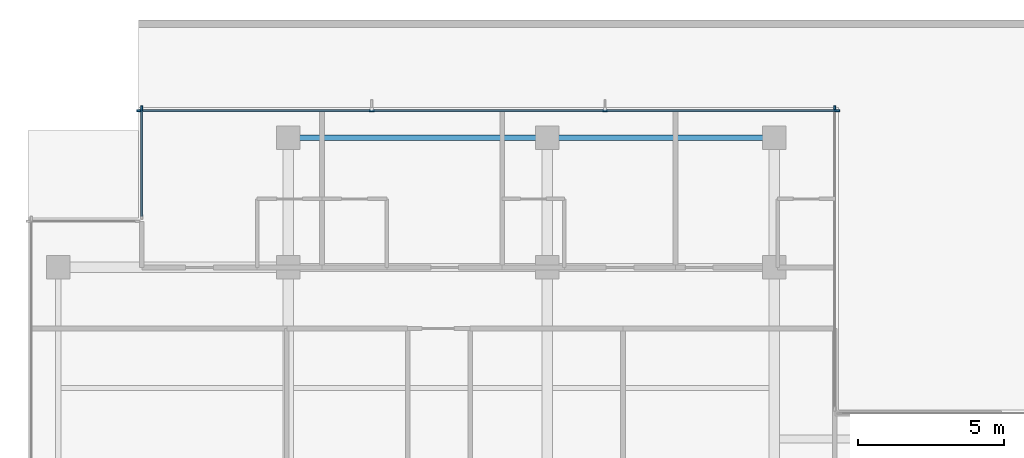
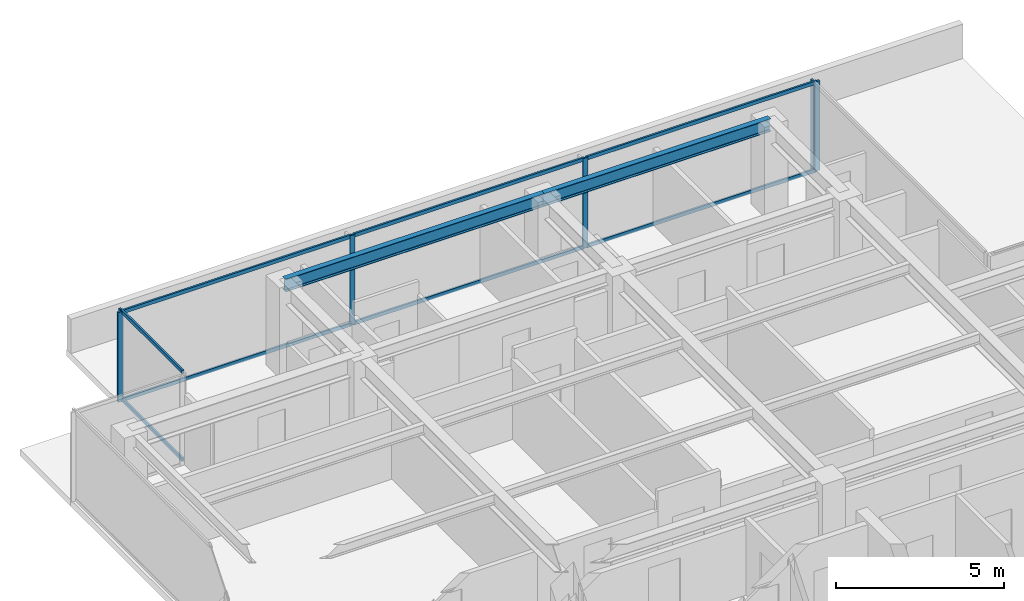
# One storey, part 4 of 11: 14 members, 2 beams, 3 elements without a shape of their own.
"""IFC4 building model written with IfcOpenShell, lengths in metres."""

from ifc_helpers import new_model, si_unit, direction, frame, origin, origin_2d, place, context, subcontext, project, spatial, rectangle, i_section, extrude, material, layer, layer_set, material_profile, profile_set, type_object, element, aggregate, save


model = new_model("IFC4")

# Units and contexts
model_context = context("Model", 3, precision=1e-05, world=origin(), true_north=direction((0.0, 1.0)))
body_context = subcontext(model_context, "Body", "Model", "MODEL_VIEW")
ifc_project = project(units=[si_unit("LENGTHUNIT", "METRE"), si_unit("AREAUNIT", "SQUARE_METRE"), si_unit("VOLUMEUNIT", "CUBIC_METRE"), si_unit("PLANEANGLEUNIT", "RADIAN"), si_unit("MASSUNIT", "GRAM", prefix="KILO")], contexts=[model_context])

# Site, building, storey
site_placement = place(None, origin())
site = spatial("IfcSite", under=ifc_project, at=site_placement, CompositionType="ELEMENT")
building_placement = place(site_placement, origin())
building = spatial("IfcBuilding", under=site, at=building_placement, Name="Qalmaran Belvedere Hotel", CompositionType="ELEMENT")
storey_placement = place(building_placement, frame((0.0, 0.0, 238.89990234375)))
storey = spatial("IfcBuildingStorey", under=building, at=storey_placement, Name="L61", CompositionType="ELEMENT", Elevation=238.89990234375)

# Beams
ifc_material_1 = material(Name="Steel S355JR", Category="steel")
ifc_material_profile_1 = material_profile(ifc_material_1, i_section(OverallWidth=0.19189453125, OverallDepth=0.462890625, WebThickness=0.010498046875, FlangeThickness=0.017578125, FilletRadius=0.01611328125, at=origin_2d()), Name="W460X89")
ifc_profile_set_1 = profile_set([ifc_material_profile_1], Name="Steel S355JR")
beam_type = type_object("IfcBeamType", Name="BM-SP2-W460X89", PredefinedType="SPANDREL", material=ifc_profile_set_1)
beam_1_placement = place(storey_placement, frame((20.300048828125, 37.449951171875, 3.028564453125), z_axis=(1.0, 0.0, 0.0), x_axis=(0.0, 1.0, 0.0)))
element("IfcBeam", 1, at=beam_1_placement, inside=storey, type_object=beam_type, Name="L61 Perimeter Spandrel 04", PredefinedType="SPANDREL", context=body_context, shape_type="SweptSolid", body=[
    extrude(i_section(OverallWidth=0.19189453125, OverallDepth=0.462890625, WebThickness=0.010498046875, FlangeThickness=0.017578125, FilletRadius=0.01611328125, at=origin_2d()), origin(), (0.0, 0.0, 1.0), 8.89990234375),
])
beam_2_placement = place(storey_placement, frame((29.199951171875, 37.449951171875, 3.028564453125), z_axis=(1.0, 0.0, 0.0), x_axis=(0.0, 1.0, 0.0)))
element("IfcBeam", 2, at=beam_2_placement, inside=storey, type_object=beam_type, Name="L61 Perimeter Spandrel 05", PredefinedType="SPANDREL", context=body_context, shape_type="SweptSolid", body=[
    extrude(i_section(OverallWidth=0.19189453125, OverallDepth=0.462890625, WebThickness=0.010498046875, FlangeThickness=0.017578125, FilletRadius=0.01611328125, at=origin_2d()), origin(), (0.0, 0.0, 1.0), 7.800048828125),
])

# Curtain wall, member
ifc_material_2 = material(Name="Anodised Bronze Aluminium", Category="aluminium")
ifc_layer = layer(ifc_material_2, 0.18505859375, Name="Anodised Bronze Aluminium")
ifc_layer_set = layer_set([ifc_layer], Name="Anodised Bronze Aluminium")
curtain_wall_type = type_object("IfcCurtainWallType", Name="CW6-TOWER-SKY", PredefinedType="NOTDEFINED", material=ifc_layer_set)
curtain_wall_1_placement = place(storey_placement, origin())
curtain_wall_1 = element("IfcCurtainWall", 3, at=curtain_wall_1_placement, inside=storey, type_object=curtain_wall_type, Name="L61 Curtain Wall CW6", PredefinedType="NOTDEFINED")
ifc_material_profile_2 = material_profile(ifc_material_2, rectangle(XDim=0.06494140625, YDim=0.1650390625, at=origin_2d()), Name="CWM65X165")
ifc_profile_set_2 = profile_set([ifc_material_profile_2], Name="Anodised Bronze Aluminium")
member_type_1 = type_object("IfcMemberType", Name="CWM-65X165", PredefinedType="MULLION", material=ifc_profile_set_2)
member_1_placement = place(storey_placement, frame((39.080078125, 38.467529296875, 0.0), z_axis=(0.0, 0.0, 1.0), x_axis=(-1.0, 0.0, 0.0)))
member_1 = element("IfcMember", 4, at=member_1_placement, type_object=member_type_1, Name="CW6 mullion 2", PredefinedType="MULLION", context=body_context, shape_type="SweptSolid", body=[
    extrude(rectangle(XDim=0.06494140625, YDim=0.1650390625, at=origin_2d()), origin(), (0.0, 0.0, 1.0), 3.260009765625),
])
aggregate(curtain_wall_1, [member_1])

# Curtain wall, members
curtain_wall_2_placement = place(storey_placement, origin())
curtain_wall_2 = element("IfcCurtainWall", 5, at=curtain_wall_2_placement, inside=storey, type_object=curtain_wall_type, Name="L61 Curtain Wall CW6", PredefinedType="NOTDEFINED")
member_2_placement = place(storey_placement, frame((39.16748046875, 38.3798828125, 0.0), z_axis=(0.0, 0.0, 1.0), x_axis=(0.0, -1.0, 0.0)))
member_2 = element("IfcMember", 6, at=member_2_placement, type_object=member_type_1, Name="CW6 mullion 1", PredefinedType="MULLION", context=body_context, shape_type="SweptSolid", body=[
    extrude(rectangle(XDim=0.06494140625, YDim=0.1650390625, at=origin_2d()), origin(), (0.0, 0.0, 1.0), 3.260009765625),
])
member_3_placement = place(storey_placement, frame((31.183349609375, 38.3798828125, 0.0), z_axis=(0.0, 0.0, 1.0), x_axis=(0.0, -1.0, 0.0)))
member_3 = element("IfcMember", 7, at=member_3_placement, type_object=member_type_1, Name="CW6 mullion 2", PredefinedType="MULLION", context=body_context, shape_type="SweptSolid", body=[
    extrude(rectangle(XDim=0.06494140625, YDim=0.1650390625, at=origin_2d()), origin(), (0.0, 0.0, 1.0), 3.260009765625),
])
member_4_placement = place(storey_placement, frame((23.166748046875, 38.3798828125, 0.0), z_axis=(0.0, 0.0, 1.0), x_axis=(0.0, -1.0, 0.0)))
member_4 = element("IfcMember", 8, at=member_4_placement, type_object=member_type_1, Name="CW6 mullion 3", PredefinedType="MULLION", context=body_context, shape_type="SweptSolid", body=[
    extrude(rectangle(XDim=0.06494140625, YDim=0.1650390625, at=origin_2d()), origin(), (0.0, 0.0, 1.0), 3.260009765625),
])
member_5_placement = place(storey_placement, frame((15.1826171875, 38.3798828125, 0.0), z_axis=(0.0, 0.0, 1.0), x_axis=(0.0, -1.0, 0.0)))
member_5 = element("IfcMember", 9, at=member_5_placement, type_object=member_type_1, Name="CW6 mullion 4", PredefinedType="MULLION", context=body_context, shape_type="SweptSolid", body=[
    extrude(rectangle(XDim=0.06494140625, YDim=0.1650390625, at=origin_2d()), origin(), (0.0, 0.0, 1.0), 3.260009765625),
])

# Curtain wall, member
curtain_wall_3_placement = place(storey_placement, origin())
curtain_wall_3 = element("IfcCurtainWall", 10, at=curtain_wall_3_placement, inside=storey, type_object=curtain_wall_type, Name="L61 Curtain Wall CW6", PredefinedType="NOTDEFINED")
member_6_placement = place(storey_placement, frame((15.27001953125, 38.467529296875, 0.0), z_axis=(0.0, 0.0, 1.0), x_axis=(1.0, 0.0, 0.0)))
member_6 = element("IfcMember", 11, at=member_6_placement, type_object=member_type_1, Name="CW6 mullion 1", PredefinedType="MULLION", context=body_context, shape_type="SweptSolid", body=[
    extrude(rectangle(XDim=0.06494140625, YDim=0.1650390625, at=origin_2d()), origin(), (0.0, 0.0, 1.0), 3.260009765625),
])

# Member
ifc_material_profile_3 = material_profile(ifc_material_2, rectangle(XDim=0.06494140625, YDim=0.1298828125, at=origin_2d()), Name="CWT65X130")
ifc_profile_set_3 = profile_set([ifc_material_profile_3], Name="Anodised Bronze Aluminium")
member_type_2 = type_object("IfcMemberType", Name="CWT-65X130", PredefinedType="USERDEFINED", material=ifc_profile_set_3)
member_7_placement = place(storey_placement, frame((39.135009765625, 38.3798828125, 0.03271484375), z_axis=(-1.0, 0.0, 0.0), x_axis=(0.0, -1.0, 0.0)))
member_7 = element("IfcMember", 12, at=member_7_placement, type_object=member_type_2, Name="CW6 transom 1.1", ObjectType="TRANSOM", PredefinedType="USERDEFINED", context=body_context, shape_type="SweptSolid", body=[
    extrude(rectangle(XDim=0.06494140625, YDim=0.1298828125, at=origin_2d()), origin(), (0.0, 0.0, 1.0), 7.919189453125),
])

member_8_placement = place(storey_placement, frame((39.135009765625, 38.3798828125, 3.2275390625), z_axis=(-1.0, 0.0, 0.0), x_axis=(0.0, -1.0, 0.0)))
member_8 = element("IfcMember", 13, at=member_8_placement, type_object=member_type_2, Name="CW6 transom 1.2", ObjectType="TRANSOM", PredefinedType="USERDEFINED", context=body_context, shape_type="SweptSolid", body=[
    extrude(rectangle(XDim=0.06494140625, YDim=0.1298828125, at=origin_2d()), origin(), (0.0, 0.0, 1.0), 7.919189453125),
])

member_9_placement = place(storey_placement, frame((31.15087890625, 38.3798828125, 0.03271484375), z_axis=(-1.0, 0.0, 0.0), x_axis=(0.0, -1.0, 0.0)))
member_9 = element("IfcMember", 14, at=member_9_placement, type_object=member_type_2, Name="CW6 transom 2.1", ObjectType="TRANSOM", PredefinedType="USERDEFINED", context=body_context, shape_type="SweptSolid", body=[
    extrude(rectangle(XDim=0.06494140625, YDim=0.1298828125, at=origin_2d()), origin(), (0.0, 0.0, 1.0), 7.95166015625),
])

member_10_placement = place(storey_placement, frame((31.15087890625, 38.3798828125, 3.2275390625), z_axis=(-1.0, 0.0, 0.0), x_axis=(0.0, -1.0, 0.0)))
member_10 = element("IfcMember", 15, at=member_10_placement, type_object=member_type_2, Name="CW6 transom 2.2", ObjectType="TRANSOM", PredefinedType="USERDEFINED", context=body_context, shape_type="SweptSolid", body=[
    extrude(rectangle(XDim=0.06494140625, YDim=0.1298828125, at=origin_2d()), origin(), (0.0, 0.0, 1.0), 7.95166015625),
])

member_11_placement = place(storey_placement, frame((23.13427734375, 38.3798828125, 0.03271484375), z_axis=(-1.0, 0.0, 0.0), x_axis=(0.0, -1.0, 0.0)))
member_11 = element("IfcMember", 16, at=member_11_placement, type_object=member_type_2, Name="CW6 transom 3.1", ObjectType="TRANSOM", PredefinedType="USERDEFINED", context=body_context, shape_type="SweptSolid", body=[
    extrude(rectangle(XDim=0.06494140625, YDim=0.1298828125, at=origin_2d()), origin(), (0.0, 0.0, 1.0), 7.919189453125),
])

member_12_placement = place(storey_placement, frame((23.13427734375, 38.3798828125, 3.2275390625), z_axis=(-1.0, 0.0, 0.0), x_axis=(0.0, -1.0, 0.0)))
member_12 = element("IfcMember", 17, at=member_12_placement, type_object=member_type_2, Name="CW6 transom 3.2", ObjectType="TRANSOM", PredefinedType="USERDEFINED", context=body_context, shape_type="SweptSolid", body=[
    extrude(rectangle(XDim=0.06494140625, YDim=0.1298828125, at=origin_2d()), origin(), (0.0, 0.0, 1.0), 7.919189453125),
])

aggregate(curtain_wall_2, [member_2, member_3, member_4, member_5, member_7, member_8, member_9, member_10, member_11, member_12])

member_13_placement = place(storey_placement, frame((15.27001953125, 38.43505859375, 0.03271484375), z_axis=(0.0, -1.0, 0.0), x_axis=(1.0, 0.0, 0.0)))
member_13 = element("IfcMember", 18, at=member_13_placement, type_object=member_type_2, Name="CW6 transom 1.1", ObjectType="TRANSOM", PredefinedType="USERDEFINED", context=body_context, shape_type="SweptSolid", body=[
    extrude(rectangle(XDim=0.06494140625, YDim=0.1298828125, at=origin_2d()), origin(), (0.0, 0.0, 1.0), 3.670166015625),
])

member_14_placement = place(storey_placement, frame((15.27001953125, 38.43505859375, 3.2275390625), z_axis=(0.0, -1.0, 0.0), x_axis=(1.0, 0.0, 0.0)))
member_14 = element("IfcMember", 19, at=member_14_placement, type_object=member_type_2, Name="CW6 transom 1.2", ObjectType="TRANSOM", PredefinedType="USERDEFINED", context=body_context, shape_type="SweptSolid", body=[
    extrude(rectangle(XDim=0.06494140625, YDim=0.1298828125, at=origin_2d()), origin(), (0.0, 0.0, 1.0), 3.670166015625),
])

aggregate(curtain_wall_3, [member_6, member_13, member_14])

save(model, "model.ifc")
